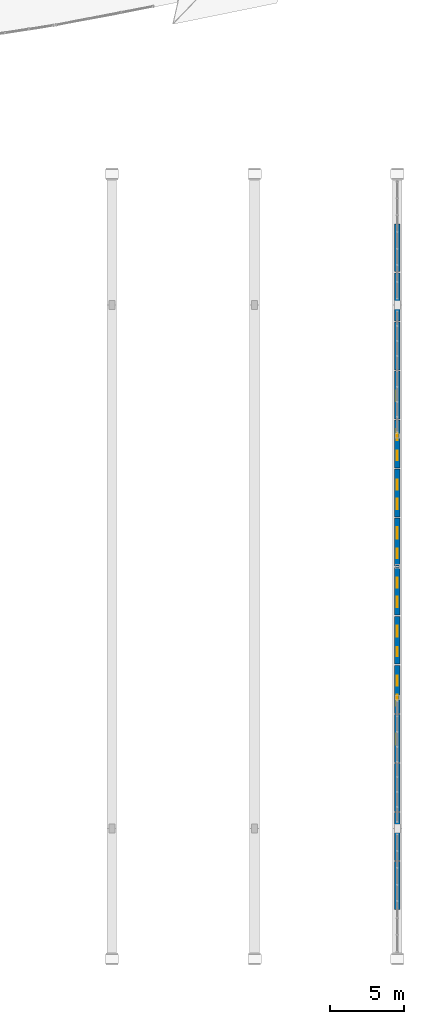
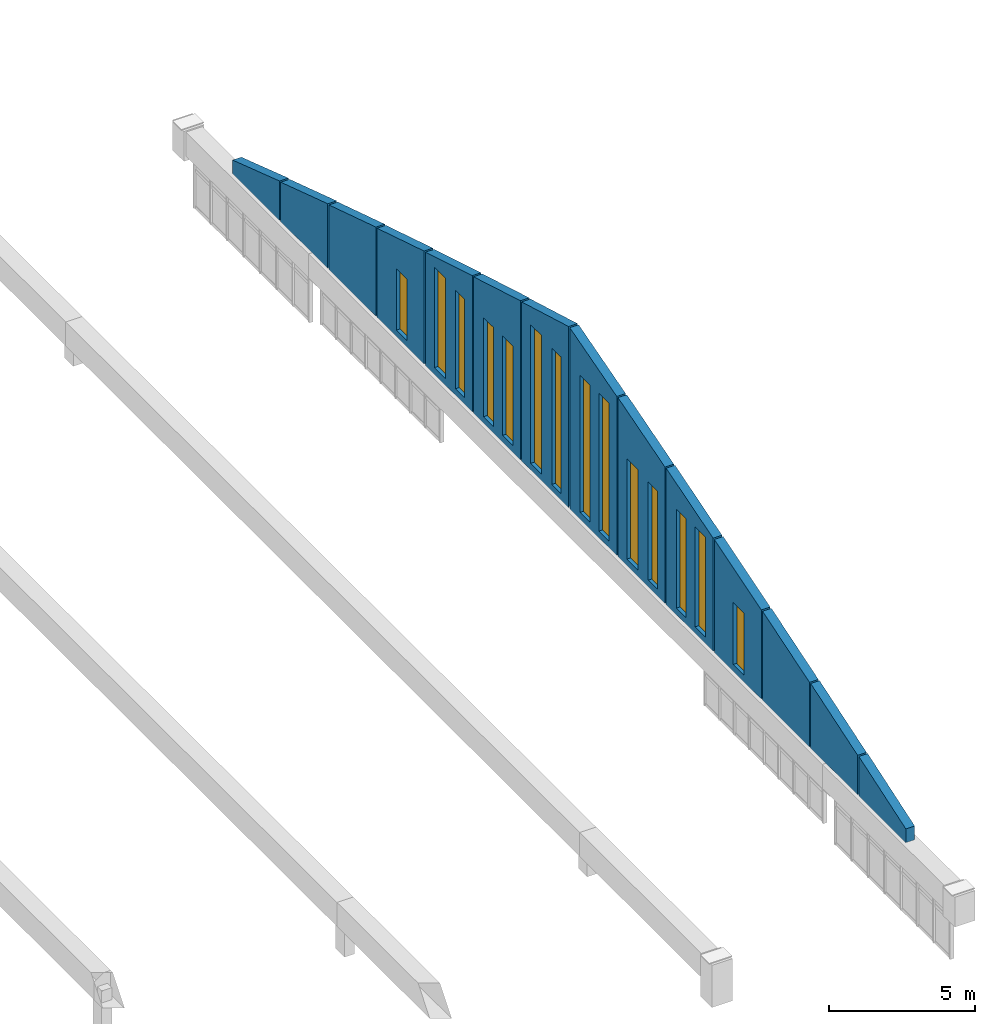
# One storey, part 59 of 65: 14 walls, 14 windows, 14 openings.
"""IFC4 building model written with IfcOpenShell, lengths in metres."""

from ifc_helpers import new_model, si_unit, direction, frame, frame_2d, origin, place, context, subcontext, project, spatial, polyline, rectangle, outline, extrude, material, layer, layer_set, type_object, element, fill, save


model = new_model("IFC4")

# Units and contexts
model_context = context("Model", 3, precision=1e-05, world=origin(), true_north=direction((0.0, 1.0)))
body_context = subcontext(model_context, "Body", "Model", "MODEL_VIEW")
ifc_project = project(units=[si_unit("LENGTHUNIT", "METRE"), si_unit("AREAUNIT", "SQUARE_METRE"), si_unit("VOLUMEUNIT", "CUBIC_METRE"), si_unit("PLANEANGLEUNIT", "RADIAN"), si_unit("MASSUNIT", "GRAM", prefix="KILO")], contexts=[model_context])

# Site, building, storey
site_placement = place(None, origin())
site = spatial("IfcSite", under=ifc_project, at=site_placement, CompositionType="ELEMENT")
building_placement = place(site_placement, origin())
building = spatial("IfcBuilding", under=site, at=building_placement, Name="Chalmorin Arch Market", CompositionType="ELEMENT")
storey_placement = place(building_placement, frame((0.0, 0.0, 14.10009765625)))
storey = spatial("IfcBuildingStorey", under=building, at=storey_placement, Name="L03", CompositionType="ELEMENT", Elevation=14.10009765625)

# Walls
ifc_material_1 = material(Name="Concrete C35/45", Category="concrete")
ifc_layer = layer(ifc_material_1, 0.35009765625)
ifc_layer_set = layer_set([ifc_layer], Name="Concrete C35/45")
wall_type = type_object("IfcWallType", Name="PlinthPerimeterWall-350", PredefinedType="SOLIDWALL", material=ifc_layer_set)
wall_1_placement = place(storey_placement, frame((124.800048828125, 9.340087890625, 1.179931640625), z_axis=(0.0, 0.0, 1.0), x_axis=(0.0, 1.0, 0.0)))
element("IfcWall", 1, at=wall_1_placement, inside=storey, type_object=wall_type, Name="PPW-350-151", PredefinedType="SOLIDWALL", context=body_context, shape_type="SweptSolid", body=[
    extrude(outline(polyline([(0.0, 0.0), (3.219970703125, 0.0), (3.219970703125, 1.656982421875), (0.0, 0.5810546875), (0.0, 0.0)])), frame((0.0, 0.175048828125, 0.0), z_axis=(0.0, -1.0, 0.0), x_axis=(1.0, 0.0, 0.0)), (0.0, 0.0, 1.0), 0.35009765625),
])
wall_2_placement = place(storey_placement, frame((124.800048828125, 12.639892578125, 1.179931640625), z_axis=(0.0, 0.0, 1.0), x_axis=(0.0, 1.0, 0.0)))
element("IfcWall", 2, at=wall_2_placement, inside=storey, type_object=wall_type, Name="PPW-350-152", PredefinedType="SOLIDWALL", context=body_context, shape_type="SweptSolid", body=[
    extrude(outline(polyline([(0.0, 0.0), (3.22021484375, 0.0), (3.219970703125, 2.707275390625), (0.0, 1.656982421875), (0.0, 0.0)])), frame((0.0, 0.175048828125, 0.0), z_axis=(0.0, -1.0, 0.0), x_axis=(1.0, 0.0, 0.0)), (0.0, 0.0, 1.0), 0.35009765625),
])
wall_3_placement = place(storey_placement, frame((124.800048828125, 15.93994140625, 1.179931640625), z_axis=(0.0, 0.0, 1.0), x_axis=(0.0, 1.0, 0.0)))
element("IfcWall", 3, at=wall_3_placement, inside=storey, type_object=wall_type, Name="PPW-350-153", PredefinedType="SOLIDWALL", context=body_context, shape_type="SweptSolid", body=[
    extrude(outline(polyline([(0.0, 0.0), (3.219970703125, 0.0), (3.219970703125, 3.732421875), (0.0, 2.707275390625), (0.0, 0.0)])), frame((0.0, 0.175048828125, 0.0), z_axis=(0.0, -1.0, 0.0), x_axis=(1.0, 0.0, 0.0)), (0.0, 0.0, 1.0), 0.35009765625),
])

# Wall, opening, window
wall_4_placement = place(storey_placement, frame((124.800048828125, 19.239990234375, 1.179931640625), z_axis=(0.0, 0.0, 1.0), x_axis=(0.0, 1.0, 0.0)))
wall_4 = element("IfcWall", 4, at=wall_4_placement, inside=storey, type_object=wall_type, Name="PPW-350-154", PredefinedType="SOLIDWALL", context=body_context, shape_type="SweptSolid", body=[
    extrude(outline(polyline([(0.0, 0.0), (3.219970703125, 0.0), (3.219970703125, 4.732177734375), (0.0, 3.732421875), (0.0, 0.0)])), frame((0.0, 0.175048828125, 0.0), z_axis=(0.0, -1.0, 0.0), x_axis=(1.0, 0.0, 0.0)), (0.0, 0.0, 1.0), 0.35009765625),
])
opening_1_placement = place(wall_4_placement, frame((1.179931640625, 0.0, 0.280029296875)))
opening_1 = element("IfcOpeningElement", 5, at=opening_1_placement, cuts=wall_4, Name="Opening WN-080", PredefinedType="OPENING", context=body_context, shape_type="SweptSolid", body=[
    extrude(rectangle(XDim=0.75, YDim=2.60009765625, at=frame_2d((0.375, 1.300048828125))), frame((0.0, 0.18505859375, 0.0), z_axis=(0.0, -1.0, 0.0), x_axis=(1.0, 0.0, 0.0)), (0.0, 0.0, 1.0), 0.3701171875),
])
ifc_material_2 = material(Name="Low-E Tempered Glass", Category="glass")
window_type_1 = type_object("IfcWindowType", Name="GableLancetWindow-750x2600", PartitioningType="SINGLE_PANEL", PredefinedType="WINDOW", material=ifc_material_2)
window_1_placement = place(opening_1_placement, origin())
window_1 = element("IfcWindow", 6, at=window_1_placement, inside=storey, type_object=window_type_1, Name="WN-080", OverallHeight=2.60009765625, OverallWidth=0.75, PartitioningType="SINGLE_PANEL", PredefinedType="WINDOW", context=body_context, shape_type="SweptSolid", body=[
    extrude(rectangle(XDim=0.75, YDim=2.60009765625, at=frame_2d((0.375, 1.300048828125))), frame((0.0, 0.030029296875, 0.0), z_axis=(0.0, -1.0, 0.0), x_axis=(1.0, 0.0, 0.0)), (0.0, 0.0, 1.0), 0.06005859375),
])
fill(opening_1, window_1)

# Wall, openings, windows
wall_5_placement = place(storey_placement, frame((124.800048828125, 22.5400390625, 1.179931640625), z_axis=(0.0, 0.0, 1.0), x_axis=(0.0, 1.0, 0.0)))
wall_5 = element("IfcWall", 7, at=wall_5_placement, inside=storey, type_object=wall_type, Name="PPW-350-155", PredefinedType="SOLIDWALL", context=body_context, shape_type="SweptSolid", body=[
    extrude(outline(polyline([(0.0, 0.0), (3.219970703125, 0.0), (3.219970703125, 5.706787109375), (0.0, 4.732177734375), (0.0, 0.0)])), frame((0.0, 0.175048828125, 0.0), z_axis=(0.0, -1.0, 0.0), x_axis=(1.0, 0.0, 0.0)), (0.0, 0.0, 1.0), 0.35009765625),
])
opening_2_placement = place(wall_5_placement, frame((0.52001953125, 0.0, 0.280029296875)))
opening_2 = element("IfcOpeningElement", 8, at=opening_2_placement, cuts=wall_5, Name="Opening WN-081", PredefinedType="OPENING", context=body_context, shape_type="SweptSolid", body=[
    extrude(rectangle(XDim=0.7099609375, YDim=4.169921875, at=frame_2d((0.35498046875, 2.0849609375))), frame((0.0, 0.18505859375, 0.0), z_axis=(0.0, -1.0, 0.0), x_axis=(1.0, 0.0, 0.0)), (0.0, 0.0, 1.0), 0.3701171875),
])
opening_3_placement = place(wall_5_placement, frame((1.85009765625, 0.0, 0.280029296875)))
opening_3 = element("IfcOpeningElement", 9, at=opening_3_placement, cuts=wall_5, Name="Opening WN-082", PredefinedType="OPENING", context=body_context, shape_type="SweptSolid", body=[
    extrude(rectangle(XDim=0.669921875, YDim=4.139892578125, at=frame_2d((0.3349609375, 2.06982421875))), frame((0.0, 0.18505859375, 0.0), z_axis=(0.0, -1.0, 0.0), x_axis=(1.0, 0.0, 0.0)), (0.0, 0.0, 1.0), 0.3701171875),
])
window_type_2 = type_object("IfcWindowType", Name="GableLancetWindow-750x4200-670x4140", PartitioningType="SINGLE_PANEL", PredefinedType="WINDOW", material=ifc_material_2)
window_2_placement = place(opening_3_placement, origin())
window_2 = element("IfcWindow", 10, at=window_2_placement, inside=storey, type_object=window_type_2, Name="WN-082", OverallHeight=4.139892578125, OverallWidth=0.669921875, PartitioningType="SINGLE_PANEL", PredefinedType="WINDOW", context=body_context, shape_type="SweptSolid", body=[
    extrude(rectangle(XDim=0.669921875, YDim=4.139892578125, at=frame_2d((0.3349609375, 2.06982421875))), frame((0.0, 0.030029296875, 0.0), z_axis=(0.0, -1.0, 0.0), x_axis=(1.0, 0.0, 0.0)), (0.0, 0.0, 1.0), 0.06005859375),
])
fill(opening_3, window_2)
window_type_3 = type_object("IfcWindowType", Name="GableLancetWindow-750x4200-710x4170", PartitioningType="SINGLE_PANEL", PredefinedType="WINDOW", material=ifc_material_2)
window_3_placement = place(opening_2_placement, origin())
window_3 = element("IfcWindow", 11, at=window_3_placement, inside=storey, type_object=window_type_3, Name="WN-081", OverallHeight=4.169921875, OverallWidth=0.7099609375, PartitioningType="SINGLE_PANEL", PredefinedType="WINDOW", context=body_context, shape_type="SweptSolid", body=[
    extrude(rectangle(XDim=0.7099609375, YDim=4.169921875, at=frame_2d((0.35498046875, 2.0849609375))), frame((0.0, 0.030029296875, 0.0), z_axis=(0.0, -1.0, 0.0), x_axis=(1.0, 0.0, 0.0)), (0.0, 0.0, 1.0), 0.06005859375),
])
fill(opening_2, window_3)

wall_6_placement = place(storey_placement, frame((124.800048828125, 25.840087890625, 1.179931640625), z_axis=(0.0, 0.0, 1.0), x_axis=(0.0, 1.0, 0.0)))
wall_6 = element("IfcWall", 12, at=wall_6_placement, inside=storey, type_object=wall_type, Name="PPW-350-156", PredefinedType="SOLIDWALL", context=body_context, shape_type="SweptSolid", body=[
    extrude(outline(polyline([(0.0, 0.0), (3.219970703125, 0.0), (3.219970703125, 6.656005859375), (0.0, 5.706787109375), (0.0, 0.0)])), frame((0.0, 0.175048828125, 0.0), z_axis=(0.0, -1.0, 0.0), x_axis=(1.0, 0.0, 0.0)), (0.0, 0.0, 1.0), 0.35009765625),
])
opening_4_placement = place(wall_6_placement, frame((0.52001953125, 0.0, 0.280029296875)))
opening_4 = element("IfcOpeningElement", 13, at=opening_4_placement, cuts=wall_6, Name="Opening WN-083", PredefinedType="OPENING", context=body_context, shape_type="SweptSolid", body=[
    extrude(rectangle(XDim=0.6298828125, YDim=4.110107421875, at=frame_2d((0.31494140625, 2.05517578125))), frame((0.0, 0.18505859375, 0.0), z_axis=(0.0, -1.0, 0.0), x_axis=(1.0, 0.0, 0.0)), (0.0, 0.0, 1.0), 0.3701171875),
])
opening_5_placement = place(wall_6_placement, frame((1.85009765625, 0.0, 0.280029296875)))
opening_5 = element("IfcOpeningElement", 14, at=opening_5_placement, cuts=wall_6, Name="Opening WN-084", PredefinedType="OPENING", context=body_context, shape_type="SweptSolid", body=[
    extrude(rectangle(XDim=0.75, YDim=4.199951171875, at=frame_2d((0.375, 2.10009765625))), frame((0.0, 0.18505859375, 0.0), z_axis=(0.0, -1.0, 0.0), x_axis=(1.0, 0.0, 0.0)), (0.0, 0.0, 1.0), 0.3701171875),
])
window_type_4 = type_object("IfcWindowType", Name="GableLancetWindow-750x4200", PartitioningType="SINGLE_PANEL", PredefinedType="WINDOW", material=ifc_material_2)
window_4_placement = place(opening_5_placement, origin())
window_4 = element("IfcWindow", 15, at=window_4_placement, inside=storey, type_object=window_type_4, Name="WN-084", OverallHeight=4.199951171875, OverallWidth=0.75, PartitioningType="SINGLE_PANEL", PredefinedType="WINDOW", context=body_context, shape_type="SweptSolid", body=[
    extrude(rectangle(XDim=0.75, YDim=4.199951171875, at=frame_2d((0.375, 2.10009765625))), frame((0.0, 0.030029296875, 0.0), z_axis=(0.0, -1.0, 0.0), x_axis=(1.0, 0.0, 0.0)), (0.0, 0.0, 1.0), 0.06005859375),
])
fill(opening_5, window_4)
window_type_5 = type_object("IfcWindowType", Name="GableLancetWindow-750x4200-630x4110", PartitioningType="SINGLE_PANEL", PredefinedType="WINDOW", material=ifc_material_2)
window_5_placement = place(opening_4_placement, origin())
window_5 = element("IfcWindow", 16, at=window_5_placement, inside=storey, type_object=window_type_5, Name="WN-083", OverallHeight=4.110107421875, OverallWidth=0.6298828125, PartitioningType="SINGLE_PANEL", PredefinedType="WINDOW", context=body_context, shape_type="SweptSolid", body=[
    extrude(rectangle(XDim=0.6298828125, YDim=4.110107421875, at=frame_2d((0.31494140625, 2.05517578125))), frame((0.0, 0.030029296875, 0.0), z_axis=(0.0, -1.0, 0.0), x_axis=(1.0, 0.0, 0.0)), (0.0, 0.0, 1.0), 0.06005859375),
])
fill(opening_4, window_5)

wall_7_placement = place(storey_placement, frame((124.800048828125, 29.139892578125, 1.179931640625), z_axis=(0.0, 0.0, 1.0), x_axis=(0.0, 1.0, 0.0)))
wall_7 = element("IfcWall", 17, at=wall_7_placement, inside=storey, type_object=wall_type, Name="PPW-350-157", PredefinedType="SOLIDWALL", context=body_context, shape_type="SweptSolid", body=[
    extrude(outline(polyline([(0.0, 0.0), (3.22021484375, 0.0), (3.219970703125, 7.580078125), (0.0, 6.656005859375), (0.0, 0.0)])), frame((0.0, 0.175048828125, 0.0), z_axis=(0.0, -1.0, 0.0), x_axis=(1.0, 0.0, 0.0)), (0.0, 0.0, 1.0), 0.35009765625),
])
opening_6_placement = place(wall_7_placement, frame((0.52001953125, 0.0, 0.280029296875)))
opening_6 = element("IfcOpeningElement", 18, at=opening_6_placement, cuts=wall_7, Name="Opening WN-085", PredefinedType="OPENING", context=body_context, shape_type="SweptSolid", body=[
    extrude(rectangle(XDim=0.7099609375, YDim=5.77001953125, at=frame_2d((0.35498046875, 2.885009765625))), frame((0.0, 0.18505859375, 0.0), z_axis=(0.0, -1.0, 0.0), x_axis=(1.0, 0.0, 0.0)), (0.0, 0.0, 1.0), 0.3701171875),
])
opening_7_placement = place(wall_7_placement, frame((1.85009765625, 0.0, 0.280029296875)))
opening_7 = element("IfcOpeningElement", 19, at=opening_7_placement, cuts=wall_7, Name="Opening WN-086", PredefinedType="OPENING", context=body_context, shape_type="SweptSolid", body=[
    extrude(rectangle(XDim=0.669921875, YDim=5.739990234375, at=frame_2d((0.3349609375, 2.8701171875))), frame((0.0, 0.18505859375, 0.0), z_axis=(0.0, -1.0, 0.0), x_axis=(1.0, 0.0, 0.0)), (0.0, 0.0, 1.0), 0.3701171875),
])
window_type_6 = type_object("IfcWindowType", Name="GableLancetWindow-750x5800-670x5740", PartitioningType="SINGLE_PANEL", PredefinedType="WINDOW", material=ifc_material_2)
window_6_placement = place(opening_7_placement, origin())
window_6 = element("IfcWindow", 20, at=window_6_placement, inside=storey, type_object=window_type_6, Name="WN-086", OverallHeight=5.739990234375, OverallWidth=0.669921875, PartitioningType="SINGLE_PANEL", PredefinedType="WINDOW", context=body_context, shape_type="SweptSolid", body=[
    extrude(rectangle(XDim=0.669921875, YDim=5.739990234375, at=frame_2d((0.3349609375, 2.8701171875))), frame((0.0, 0.030029296875, 0.0), z_axis=(0.0, -1.0, 0.0), x_axis=(1.0, 0.0, 0.0)), (0.0, 0.0, 1.0), 0.06005859375),
])
fill(opening_7, window_6)
window_type_7 = type_object("IfcWindowType", Name="GableLancetWindow-750x5800-710x5770", PartitioningType="SINGLE_PANEL", PredefinedType="WINDOW", material=ifc_material_2)
window_7_placement = place(opening_6_placement, origin())
window_7 = element("IfcWindow", 21, at=window_7_placement, inside=storey, type_object=window_type_7, Name="WN-085", OverallHeight=5.77001953125, OverallWidth=0.7099609375, PartitioningType="SINGLE_PANEL", PredefinedType="WINDOW", context=body_context, shape_type="SweptSolid", body=[
    extrude(rectangle(XDim=0.7099609375, YDim=5.77001953125, at=frame_2d((0.35498046875, 2.885009765625))), frame((0.0, 0.030029296875, 0.0), z_axis=(0.0, -1.0, 0.0), x_axis=(1.0, 0.0, 0.0)), (0.0, 0.0, 1.0), 0.06005859375),
])
fill(opening_6, window_7)

wall_8_placement = place(storey_placement, frame((124.800048828125, 32.43994140625, 1.179931640625), z_axis=(0.0, 0.0, 1.0), x_axis=(0.0, 1.0, 0.0)))
wall_8 = element("IfcWall", 22, at=wall_8_placement, inside=storey, type_object=wall_type, Name="PPW-350-158", PredefinedType="SOLIDWALL", context=body_context, shape_type="SweptSolid", body=[
    extrude(outline(polyline([(0.0, 0.0), (3.219970703125, 0.0), (3.219970703125, 6.656005859375), (0.0, 7.580078125), (0.0, 0.0)])), frame((0.0, 0.175048828125, 0.0), z_axis=(0.0, -1.0, 0.0), x_axis=(1.0, 0.0, 0.0)), (0.0, 0.0, 1.0), 0.35009765625),
])
opening_8_placement = place(wall_8_placement, frame((0.52001953125, 0.0, 0.280029296875)))
opening_8 = element("IfcOpeningElement", 23, at=opening_8_placement, cuts=wall_8, Name="Opening WN-087", PredefinedType="OPENING", context=body_context, shape_type="SweptSolid", body=[
    extrude(rectangle(XDim=0.6298828125, YDim=5.7099609375, at=frame_2d((0.31494140625, 2.85498046875))), frame((0.0, 0.18505859375, 0.0), z_axis=(0.0, -1.0, 0.0), x_axis=(1.0, 0.0, 0.0)), (0.0, 0.0, 1.0), 0.3701171875),
])
opening_9_placement = place(wall_8_placement, frame((1.85009765625, 0.0, 0.280029296875)))
opening_9 = element("IfcOpeningElement", 24, at=opening_9_placement, cuts=wall_8, Name="Opening WN-088", PredefinedType="OPENING", context=body_context, shape_type="SweptSolid", body=[
    extrude(rectangle(XDim=0.75, YDim=5.800048828125, at=frame_2d((0.375, 2.89990234375))), frame((0.0, 0.18505859375, 0.0), z_axis=(0.0, -1.0, 0.0), x_axis=(1.0, 0.0, 0.0)), (0.0, 0.0, 1.0), 0.3701171875),
])
window_type_8 = type_object("IfcWindowType", Name="GableLancetWindow-750x5800", PartitioningType="SINGLE_PANEL", PredefinedType="WINDOW", material=ifc_material_2)
window_8_placement = place(opening_9_placement, origin())
window_8 = element("IfcWindow", 25, at=window_8_placement, inside=storey, type_object=window_type_8, Name="WN-088", OverallHeight=5.800048828125, OverallWidth=0.75, PartitioningType="SINGLE_PANEL", PredefinedType="WINDOW", context=body_context, shape_type="SweptSolid", body=[
    extrude(rectangle(XDim=0.75, YDim=5.800048828125, at=frame_2d((0.375, 2.89990234375))), frame((0.0, 0.030029296875, 0.0), z_axis=(0.0, -1.0, 0.0), x_axis=(1.0, 0.0, 0.0)), (0.0, 0.0, 1.0), 0.06005859375),
])
fill(opening_9, window_8)
window_type_9 = type_object("IfcWindowType", Name="GableLancetWindow-750x5800-630x5710", PartitioningType="SINGLE_PANEL", PredefinedType="WINDOW", material=ifc_material_2)
window_9_placement = place(opening_8_placement, origin())
window_9 = element("IfcWindow", 26, at=window_9_placement, inside=storey, type_object=window_type_9, Name="WN-087", OverallHeight=5.7099609375, OverallWidth=0.6298828125, PartitioningType="SINGLE_PANEL", PredefinedType="WINDOW", context=body_context, shape_type="SweptSolid", body=[
    extrude(rectangle(XDim=0.6298828125, YDim=5.7099609375, at=frame_2d((0.31494140625, 2.85498046875))), frame((0.0, 0.030029296875, 0.0), z_axis=(0.0, -1.0, 0.0), x_axis=(1.0, 0.0, 0.0)), (0.0, 0.0, 1.0), 0.06005859375),
])
fill(opening_8, window_9)

wall_9_placement = place(storey_placement, frame((124.800048828125, 35.739990234375, 1.179931640625), z_axis=(0.0, 0.0, 1.0), x_axis=(0.0, 1.0, 0.0)))
wall_9 = element("IfcWall", 27, at=wall_9_placement, inside=storey, type_object=wall_type, Name="PPW-350-159", PredefinedType="SOLIDWALL", context=body_context, shape_type="SweptSolid", body=[
    extrude(outline(polyline([(0.0, 0.0), (3.219970703125, 0.0), (3.219970703125, 5.706787109375), (0.0, 6.656005859375), (0.0, 0.0)])), frame((0.0, 0.175048828125, 0.0), z_axis=(0.0, -1.0, 0.0), x_axis=(1.0, 0.0, 0.0)), (0.0, 0.0, 1.0), 0.35009765625),
])
opening_10_placement = place(wall_9_placement, frame((0.52001953125, 0.0, 0.280029296875)))
opening_10 = element("IfcOpeningElement", 28, at=opening_10_placement, cuts=wall_9, Name="Opening WN-089", PredefinedType="OPENING", context=body_context, shape_type="SweptSolid", body=[
    extrude(rectangle(XDim=0.7099609375, YDim=4.169921875, at=frame_2d((0.35498046875, 2.0849609375))), frame((0.0, 0.18505859375, 0.0), z_axis=(0.0, -1.0, 0.0), x_axis=(1.0, 0.0, 0.0)), (0.0, 0.0, 1.0), 0.3701171875),
])
opening_11_placement = place(wall_9_placement, frame((1.85009765625, 0.0, 0.280029296875)))
opening_11 = element("IfcOpeningElement", 29, at=opening_11_placement, cuts=wall_9, Name="Opening WN-090", PredefinedType="OPENING", context=body_context, shape_type="SweptSolid", body=[
    extrude(rectangle(XDim=0.669921875, YDim=4.139892578125, at=frame_2d((0.3349609375, 2.06982421875))), frame((0.0, 0.18505859375, 0.0), z_axis=(0.0, -1.0, 0.0), x_axis=(1.0, 0.0, 0.0)), (0.0, 0.0, 1.0), 0.3701171875),
])
window_10_placement = place(opening_11_placement, origin())
window_10 = element("IfcWindow", 30, at=window_10_placement, inside=storey, type_object=window_type_2, Name="WN-090", OverallHeight=4.139892578125, OverallWidth=0.669921875, PartitioningType="SINGLE_PANEL", PredefinedType="WINDOW", context=body_context, shape_type="SweptSolid", body=[
    extrude(rectangle(XDim=0.669921875, YDim=4.139892578125, at=frame_2d((0.3349609375, 2.06982421875))), frame((0.0, 0.030029296875, 0.0), z_axis=(0.0, -1.0, 0.0), x_axis=(1.0, 0.0, 0.0)), (0.0, 0.0, 1.0), 0.06005859375),
])
fill(opening_11, window_10)
window_11_placement = place(opening_10_placement, origin())
window_11 = element("IfcWindow", 31, at=window_11_placement, inside=storey, type_object=window_type_3, Name="WN-089", OverallHeight=4.169921875, OverallWidth=0.7099609375, PartitioningType="SINGLE_PANEL", PredefinedType="WINDOW", context=body_context, shape_type="SweptSolid", body=[
    extrude(rectangle(XDim=0.7099609375, YDim=4.169921875, at=frame_2d((0.35498046875, 2.0849609375))), frame((0.0, 0.030029296875, 0.0), z_axis=(0.0, -1.0, 0.0), x_axis=(1.0, 0.0, 0.0)), (0.0, 0.0, 1.0), 0.06005859375),
])
fill(opening_10, window_11)

wall_10_placement = place(storey_placement, frame((124.800048828125, 39.0400390625, 1.179931640625), z_axis=(0.0, 0.0, 1.0), x_axis=(0.0, 1.0, 0.0)))
wall_10 = element("IfcWall", 32, at=wall_10_placement, inside=storey, type_object=wall_type, Name="PPW-350-160", PredefinedType="SOLIDWALL", context=body_context, shape_type="SweptSolid", body=[
    extrude(outline(polyline([(0.0, 0.0), (3.219970703125, 0.0), (3.219970703125, 4.732177734375), (0.0, 5.706787109375), (0.0, 0.0)])), frame((0.0, 0.175048828125, 0.0), z_axis=(0.0, -1.0, 0.0), x_axis=(1.0, 0.0, 0.0)), (0.0, 0.0, 1.0), 0.35009765625),
])
opening_12_placement = place(wall_10_placement, frame((0.52001953125, 0.0, 0.280029296875)))
opening_12 = element("IfcOpeningElement", 33, at=opening_12_placement, cuts=wall_10, Name="Opening WN-091", PredefinedType="OPENING", context=body_context, shape_type="SweptSolid", body=[
    extrude(rectangle(XDim=0.6298828125, YDim=4.110107421875, at=frame_2d((0.31494140625, 2.05517578125))), frame((0.0, 0.18505859375, 0.0), z_axis=(0.0, -1.0, 0.0), x_axis=(1.0, 0.0, 0.0)), (0.0, 0.0, 1.0), 0.3701171875),
])
opening_13_placement = place(wall_10_placement, frame((1.85009765625, 0.0, 0.280029296875)))
opening_13 = element("IfcOpeningElement", 34, at=opening_13_placement, cuts=wall_10, Name="Opening WN-092", PredefinedType="OPENING", context=body_context, shape_type="SweptSolid", body=[
    extrude(rectangle(XDim=0.75, YDim=4.199951171875, at=frame_2d((0.375, 2.10009765625))), frame((0.0, 0.18505859375, 0.0), z_axis=(0.0, -1.0, 0.0), x_axis=(1.0, 0.0, 0.0)), (0.0, 0.0, 1.0), 0.3701171875),
])
window_12_placement = place(opening_13_placement, origin())
window_12 = element("IfcWindow", 35, at=window_12_placement, inside=storey, type_object=window_type_4, Name="WN-092", OverallHeight=4.199951171875, OverallWidth=0.75, PartitioningType="SINGLE_PANEL", PredefinedType="WINDOW", context=body_context, shape_type="SweptSolid", body=[
    extrude(rectangle(XDim=0.75, YDim=4.199951171875, at=frame_2d((0.375, 2.10009765625))), frame((0.0, 0.030029296875, 0.0), z_axis=(0.0, -1.0, 0.0), x_axis=(1.0, 0.0, 0.0)), (0.0, 0.0, 1.0), 0.06005859375),
])
fill(opening_13, window_12)
window_13_placement = place(opening_12_placement, origin())
window_13 = element("IfcWindow", 36, at=window_13_placement, inside=storey, type_object=window_type_5, Name="WN-091", OverallHeight=4.110107421875, OverallWidth=0.6298828125, PartitioningType="SINGLE_PANEL", PredefinedType="WINDOW", context=body_context, shape_type="SweptSolid", body=[
    extrude(rectangle(XDim=0.6298828125, YDim=4.110107421875, at=frame_2d((0.31494140625, 2.05517578125))), frame((0.0, 0.030029296875, 0.0), z_axis=(0.0, -1.0, 0.0), x_axis=(1.0, 0.0, 0.0)), (0.0, 0.0, 1.0), 0.06005859375),
])
fill(opening_12, window_13)

# Wall, opening, window
wall_11_placement = place(storey_placement, frame((124.800048828125, 42.340087890625, 1.179931640625), z_axis=(0.0, 0.0, 1.0), x_axis=(0.0, 1.0, 0.0)))
wall_11 = element("IfcWall", 37, at=wall_11_placement, inside=storey, type_object=wall_type, Name="PPW-350-161", PredefinedType="SOLIDWALL", context=body_context, shape_type="SweptSolid", body=[
    extrude(outline(polyline([(0.0, 0.0), (3.219970703125, 0.0), (3.219970703125, 3.732421875), (0.0, 4.732177734375), (0.0, 0.0)])), frame((0.0, 0.175048828125, 0.0), z_axis=(0.0, -1.0, 0.0), x_axis=(1.0, 0.0, 0.0)), (0.0, 0.0, 1.0), 0.35009765625),
])
opening_14_placement = place(wall_11_placement, frame((1.179931640625, 0.0, 0.280029296875)))
opening_14 = element("IfcOpeningElement", 38, at=opening_14_placement, cuts=wall_11, Name="Opening WN-093", PredefinedType="OPENING", context=body_context, shape_type="SweptSolid", body=[
    extrude(rectangle(XDim=0.7099609375, YDim=2.570068359375, at=frame_2d((0.35498046875, 1.28515625))), frame((0.0, 0.18505859375, 0.0), z_axis=(0.0, -1.0, 0.0), x_axis=(1.0, 0.0, 0.0)), (0.0, 0.0, 1.0), 0.3701171875),
])
window_type_10 = type_object("IfcWindowType", Name="GableLancetWindow-750x2600-710x2570", PartitioningType="SINGLE_PANEL", PredefinedType="WINDOW", material=ifc_material_2)
window_14_placement = place(opening_14_placement, origin())
window_14 = element("IfcWindow", 39, at=window_14_placement, inside=storey, type_object=window_type_10, Name="WN-093", OverallHeight=2.570068359375, OverallWidth=0.7099609375, PartitioningType="SINGLE_PANEL", PredefinedType="WINDOW", context=body_context, shape_type="SweptSolid", body=[
    extrude(rectangle(XDim=0.7099609375, YDim=2.570068359375, at=frame_2d((0.35498046875, 1.28515625))), frame((0.0, 0.030029296875, 0.0), z_axis=(0.0, -1.0, 0.0), x_axis=(1.0, 0.0, 0.0)), (0.0, 0.0, 1.0), 0.06005859375),
])
fill(opening_14, window_14)

# Walls
wall_12_placement = place(storey_placement, frame((124.800048828125, 45.639892578125, 1.179931640625), z_axis=(0.0, 0.0, 1.0), x_axis=(0.0, 1.0, 0.0)))
element("IfcWall", 40, at=wall_12_placement, inside=storey, type_object=wall_type, Name="PPW-350-162", PredefinedType="SOLIDWALL", context=body_context, shape_type="SweptSolid", body=[
    extrude(outline(polyline([(0.0, 0.0), (3.22021484375, 0.0), (3.219970703125, 2.707275390625), (0.0, 3.732421875), (0.0, 0.0)])), frame((0.0, 0.175048828125, 0.0), z_axis=(0.0, -1.0, 0.0), x_axis=(1.0, 0.0, 0.0)), (0.0, 0.0, 1.0), 0.35009765625),
])
wall_13_placement = place(storey_placement, frame((124.800048828125, 48.93994140625, 1.179931640625), z_axis=(0.0, 0.0, 1.0), x_axis=(0.0, 1.0, 0.0)))
element("IfcWall", 41, at=wall_13_placement, inside=storey, type_object=wall_type, Name="PPW-350-163", PredefinedType="SOLIDWALL", context=body_context, shape_type="SweptSolid", body=[
    extrude(outline(polyline([(0.0, 0.0), (3.219970703125, 0.0), (3.219970703125, 1.656982421875), (0.0, 2.707275390625), (0.0, 0.0)])), frame((0.0, 0.175048828125, 0.0), z_axis=(0.0, -1.0, 0.0), x_axis=(1.0, 0.0, 0.0)), (0.0, 0.0, 1.0), 0.35009765625),
])
wall_14_placement = place(storey_placement, frame((124.800048828125, 52.239990234375, 1.179931640625), z_axis=(0.0, 0.0, 1.0), x_axis=(0.0, 1.0, 0.0)))
element("IfcWall", 42, at=wall_14_placement, inside=storey, type_object=wall_type, Name="PPW-350-164", PredefinedType="SOLIDWALL", context=body_context, shape_type="SweptSolid", body=[
    extrude(outline(polyline([(0.0, 0.0), (3.219970703125, 0.0), (3.219970703125, 0.5810546875), (0.0, 1.656982421875), (0.0, 0.0)])), frame((0.0, 0.175048828125, 0.0), z_axis=(0.0, -1.0, 0.0), x_axis=(1.0, 0.0, 0.0)), (0.0, 0.0, 1.0), 0.35009765625),
])

save(model, "model.ifc")
